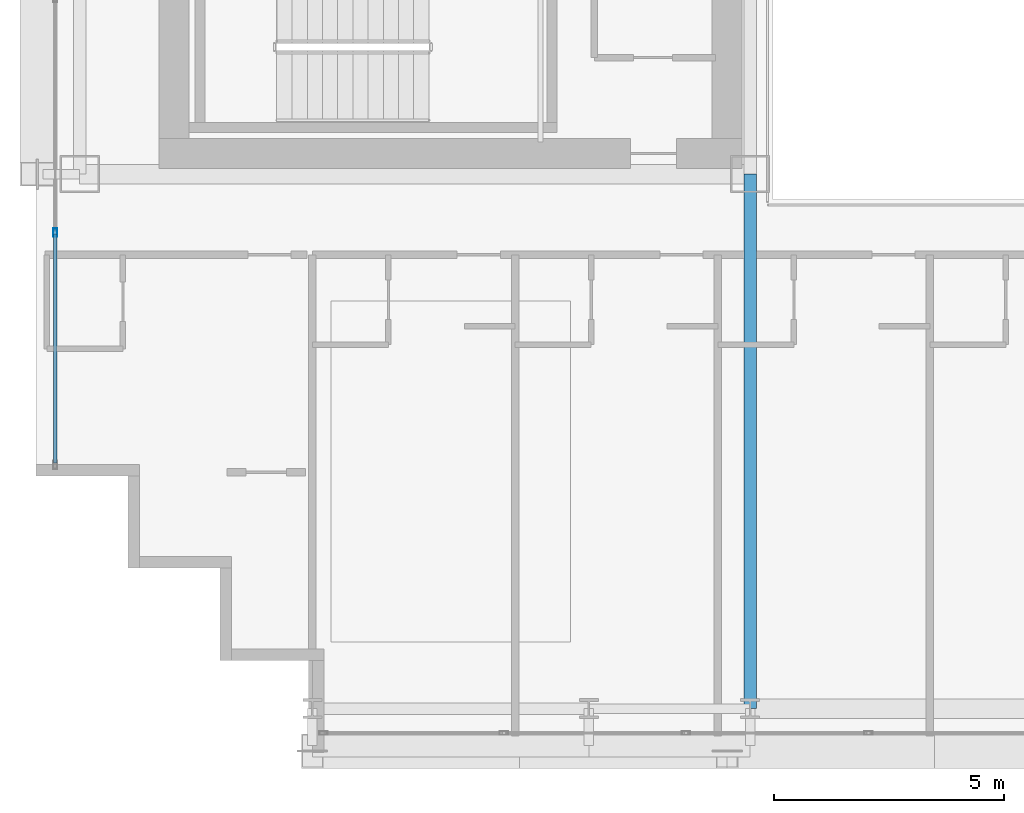
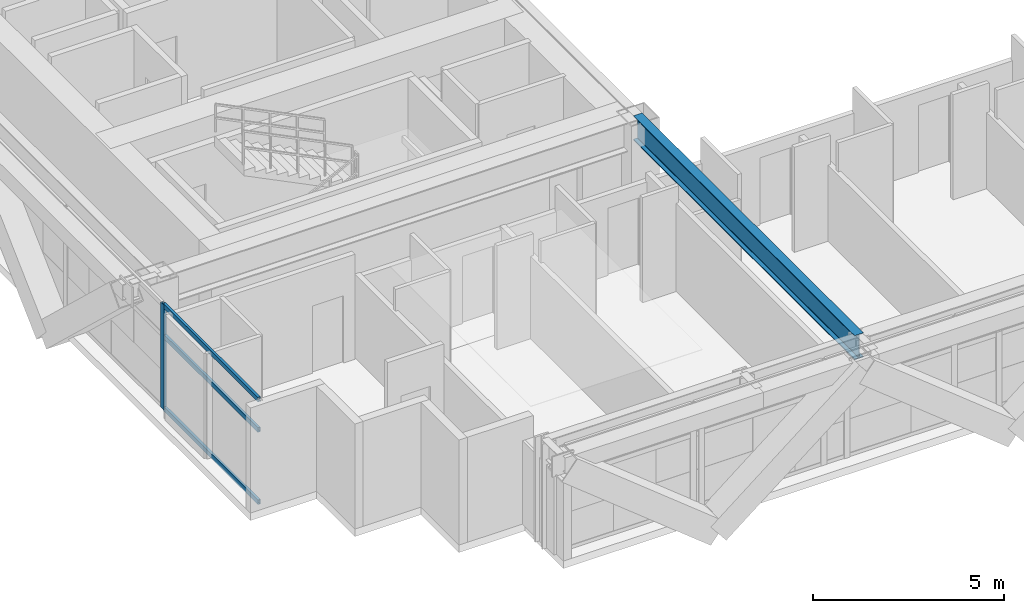
# One storey, part 3 of 35: 4 members, 1 beam, 1 element without a shape of its own.
"""IFC4 building model written with IfcOpenShell, lengths in metres."""

from ifc_helpers import new_model, si_unit, direction, frame, origin, origin_2d, place, context, subcontext, project, spatial, hollow_rectangle, i_section, extrude, source, transform, mapped, material, layer, layer_set, material_profile, profile_set, type_object, element, aggregate, save


model = new_model("IFC4")

# Units and contexts
model_context = context("Model", 3, precision=1e-05, world=origin(), true_north=direction((0.0, 1.0)))
body_context = subcontext(model_context, "Body", "Model", "MODEL_VIEW")
ifc_project = project(units=[si_unit("LENGTHUNIT", "METRE"), si_unit("AREAUNIT", "SQUARE_METRE"), si_unit("VOLUMEUNIT", "CUBIC_METRE"), si_unit("PLANEANGLEUNIT", "RADIAN"), si_unit("MASSUNIT", "GRAM", prefix="KILO")], contexts=[model_context])

# Site, building, storey
site_placement = place(None, origin())
site = spatial("IfcSite", under=ifc_project, at=site_placement, CompositionType="ELEMENT")
building_placement = place(site_placement, origin())
building = spatial("IfcBuilding", under=site, at=building_placement, Name="Ocotamira Hotel", CompositionType="ELEMENT")
storey_placement = place(building_placement, frame((0.0, 0.0, 100.800048828125)))
storey = spatial("IfcBuildingStorey", under=building, at=storey_placement, Name="L24", CompositionType="ELEMENT", Elevation=100.800048828125)

# Beam
ifc_material_1 = material(Name="Steel ASTM A992 Grade 50", Category="steel")
ifc_material_profile_1 = material_profile(ifc_material_1, i_section(OverallWidth=0.26611328125, OverallDepth=0.779052734375, WebThickness=0.0166015625, FlangeThickness=0.030029296875, FilletRadius=0.01806640625, at=origin_2d()), Name="W30X148")
ifc_profile_set_1 = profile_set([ifc_material_profile_1], Name="Steel ASTM A992 Grade 50")
beam_type = type_object("IfcBeamType", Name="BM-GIRD-W30X148", PredefinedType="BEAM", material=ifc_profile_set_1)
shared_shape_1 = source(origin(), body_context, "Body", "SweptSolid", [
    extrude(i_section(OverallWidth=0.26611328125, OverallDepth=0.779052734375, WebThickness=0.0166015625, FlangeThickness=0.030029296875, FilletRadius=0.01806640625, at=origin_2d()), origin(), (0.0, 0.0, 1.0), 11.60009765625),
])
beam_placement = place(storey_placement, frame((23.5, 2.949951171875, 2.970458984375), z_axis=(0.0, 1.0, 0.0), x_axis=(-1.0, 0.0, 0.0)))
element("IfcBeam", 1, at=beam_placement, inside=storey, type_object=beam_type, Name="L24 Beam X23.5 Y2.95-14.55", PredefinedType="BEAM", context=body_context, shape_type="MappedRepresentation", body=[
    mapped(shared_shape_1, transform((0.0, 0.0, 0.0), scale=1.0)),
])

# Curtain wall, members
ifc_material_2 = material(Name="Anodised pale-metal aluminium and solar glass", Category="aluminium")
ifc_layer = layer(ifc_material_2, 0.179931640625)
ifc_layer_set = layer_set([ifc_layer], Name="Anodised pale-metal aluminium and solar glass")
curtain_wall_type = type_object("IfcCurtainWallType", Name="CW-SYS3-Z2", PredefinedType="NOTDEFINED", material=ifc_layer_set)
curtain_wall_placement = place(storey_placement, origin())
curtain_wall = element("IfcCurtainWall", 2, at=curtain_wall_placement, inside=storey, type_object=curtain_wall_type, Name="L24 Curtain Wall CW-3 CW-L24-W", PredefinedType="NOTDEFINED")
ifc_material_3 = material(Name="Anodised pale-metal aluminium 6063-T6", Category="aluminium")
ifc_material_profile_2 = material_profile(ifc_material_3, hollow_rectangle(XDim=0.074951171875, YDim=0.14990234375, WallThickness=0.006103515625, at=origin_2d()), Name="HSS150X75X6")
ifc_profile_set_2 = profile_set([ifc_material_profile_2], Name="Anodised pale-metal aluminium 6063-T6")
member_type_1 = type_object("IfcMemberType", Name="CWT-150X75", PredefinedType="USERDEFINED", material=ifc_profile_set_2)
shared_shape_2 = source(origin(), body_context, "Body", "SweptSolid", [
    extrude(hollow_rectangle(XDim=0.074951171875, YDim=0.14990234375, WallThickness=0.006103515625, at=origin_2d()), origin(), (0.0, 0.0, 1.0), 4.965576171875),
])
member_1_placement = place(storey_placement, frame((8.419921875, 8.280029296875, 0.037353515625), z_axis=(0.0, 1.0, 0.0), x_axis=(-1.0, 0.0, 0.0)))
member_1 = element("IfcMember", 3, at=member_1_placement, type_object=member_type_1, Name="CW-3 transom 1.1", ObjectType="TRANSOM", PredefinedType="USERDEFINED", context=body_context, shape_type="MappedRepresentation", body=[
    mapped(shared_shape_2, transform((0.0, 0.0, 0.0), scale=1.0)),
])
member_2_placement = place(storey_placement, frame((8.419921875, 8.280029296875, 2.349853515625), z_axis=(0.0, 1.0, 0.0), x_axis=(-1.0, 0.0, 0.0)))
member_2 = element("IfcMember", 4, at=member_2_placement, type_object=member_type_1, Name="CW-3 transom 1.2", ObjectType="TRANSOM", PredefinedType="USERDEFINED", context=body_context, shape_type="MappedRepresentation", body=[
    mapped(shared_shape_2, transform((0.0, 0.0, 0.0), scale=1.0)),
])
member_3_placement = place(storey_placement, frame((8.419921875, 8.280029296875, 3.322509765625), z_axis=(0.0, 1.0, 0.0), x_axis=(-1.0, 0.0, 0.0)))
member_3 = element("IfcMember", 5, at=member_3_placement, type_object=member_type_1, Name="CW-3 transom 1.3", ObjectType="TRANSOM", PredefinedType="USERDEFINED", context=body_context, shape_type="MappedRepresentation", body=[
    mapped(shared_shape_2, transform((0.0, 0.0, 0.0), scale=1.0)),
])
ifc_material_profile_3 = material_profile(ifc_material_3, hollow_rectangle(XDim=0.080078125, YDim=0.179931640625, WallThickness=0.006103515625, at=origin_2d()), Name="HSS180X80X6")
ifc_profile_set_3 = profile_set([ifc_material_profile_3], Name="Anodised pale-metal aluminium 6063-T6")
member_type_2 = type_object("IfcMemberType", Name="CWM-180X75", PredefinedType="MULLION", material=ifc_profile_set_3)
shared_shape_3 = source(origin(), body_context, "Body", "SweptSolid", [
    extrude(hollow_rectangle(XDim=0.080078125, YDim=0.179931640625, WallThickness=0.006103515625, at=origin_2d()), origin(), (0.0, 0.0, 1.0), 3.35986328125),
])
member_4_placement = place(storey_placement, frame((8.419921875, 13.28564453125, 0.0), z_axis=(0.0, 0.0, 1.0), x_axis=(-1.0, 0.0, 0.0)))
member_4 = element("IfcMember", 6, at=member_4_placement, type_object=member_type_2, Name="CW-3 mullion 2", PredefinedType="MULLION", context=body_context, shape_type="MappedRepresentation", body=[
    mapped(shared_shape_3, transform((0.0, 0.0, 0.0), scale=1.0)),
])
aggregate(curtain_wall, [member_4, member_1, member_2, member_3])

save(model, "model.ifc")
